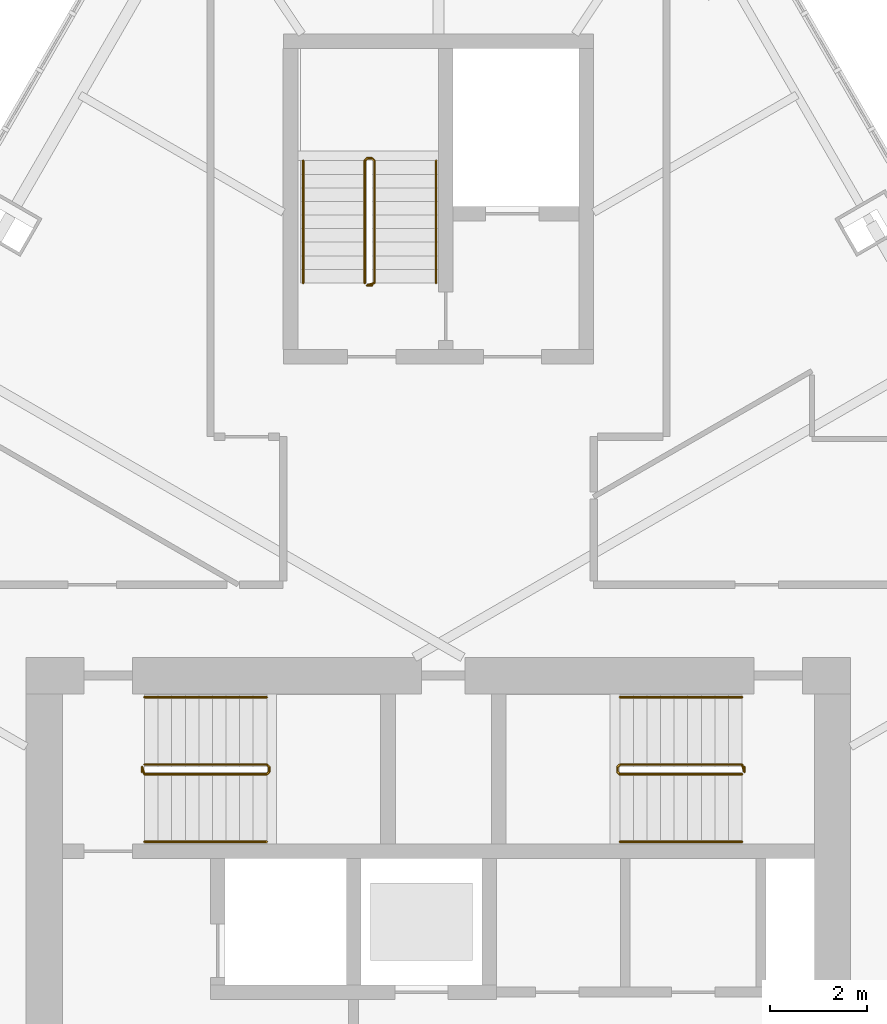
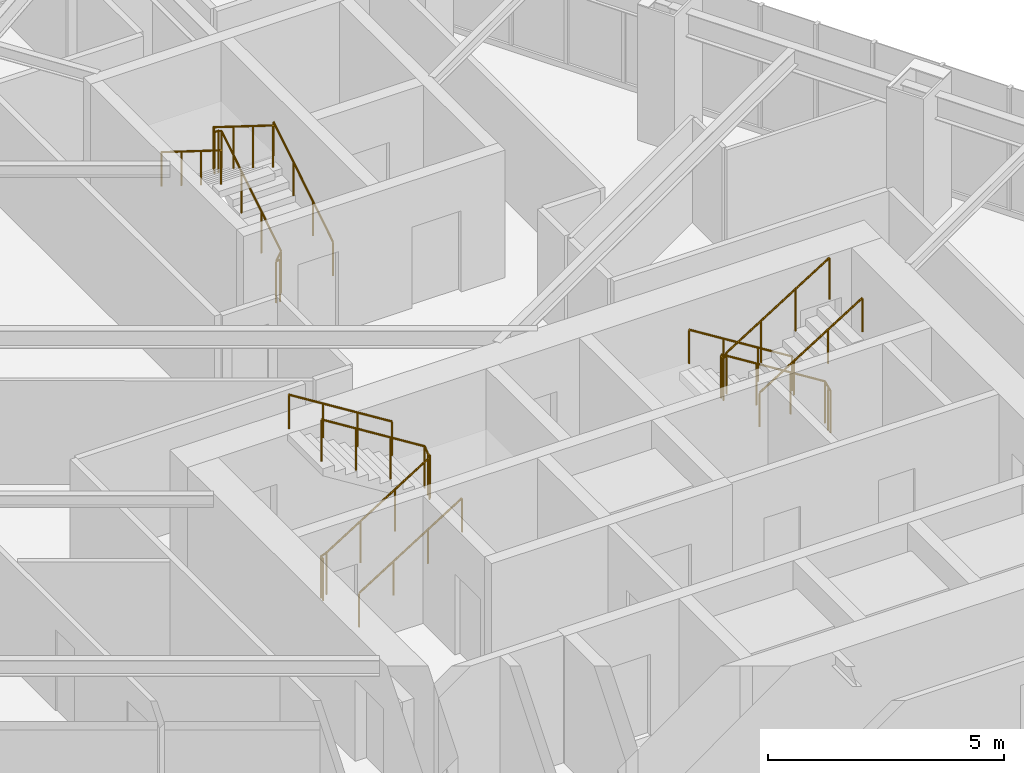
# One storey, part 19 of 20: 9 railings.
"""IFC4 building model written with IfcOpenShell, lengths in metres."""

from ifc_helpers import new_model, si_unit, direction, frame, origin, origin_2d, place, context, subcontext, project, spatial, circle, extrude, material, type_object, element, save


model = new_model("IFC4")

# Units and contexts
model_context = context("Model", 3, precision=1e-05, world=origin(), true_north=direction((0.0, 1.0)))
body_context = subcontext(model_context, "Body", "Model", "MODEL_VIEW")
ifc_project = project(units=[si_unit("LENGTHUNIT", "METRE"), si_unit("AREAUNIT", "SQUARE_METRE"), si_unit("VOLUMEUNIT", "CUBIC_METRE"), si_unit("PLANEANGLEUNIT", "RADIAN"), si_unit("MASSUNIT", "GRAM", prefix="KILO")], contexts=[model_context])

# Site, building, storey
site_placement = place(None, origin())
site = spatial("IfcSite", under=ifc_project, at=site_placement, CompositionType="ELEMENT")
building_placement = place(site_placement, origin())
building = spatial("IfcBuilding", under=site, at=building_placement, Name="Firuza Gate Tower and Library", CompositionType="ELEMENT")
storey_placement = place(building_placement, frame((0.0, 0.0, 305.60009765625)))
storey = spatial("IfcBuildingStorey", under=building, at=storey_placement, Name="L74", CompositionType="ELEMENT", Elevation=305.60009765625)

# Railings
ifc_material_1 = material(Name="Steel S355", Category="steel")
railing_type_1 = type_object("IfcRailingType", Name="Stair guard 1100", PredefinedType="GUARDRAIL", material=ifc_material_1)
railing_1_placement = place(storey_placement, frame((68.889892578125, 79.389892578125, 0.0)))
element("IfcRailing", 1, at=railing_1_placement, inside=storey, type_object=railing_type_1, Name="L74 ST1 stair guard 1", PredefinedType="GUARDRAIL", context=body_context, shape_type="SweptSolid", body=[
    extrude(circle(Radius=0.02392578125, at=origin_2d()), frame((0.0, 0.0, 1.076171875), z_axis=(0.0, 1.0, 0.0), x_axis=(-1.0, 0.0, 0.0)), (0.0, 0.0, 1.0), 0.10009765625),
    extrude(circle(Radius=0.02392578125, at=origin_2d()), frame((0.0, 0.10009765625, 1.076171875), z_axis=(0.212383695785, -0.636115069328, 0.741788908207), x_axis=(0.948528701346, 0.316691178788, 0.0)), (0.0, 0.0, 1.0), 0.235595703125),
    extrude(circle(Radius=0.02392578125, at=origin_2d()), frame((0.050048828125, -0.0498046875, 1.2509765625), z_axis=(0.847970611238, 0.0, 0.530043245855), x_axis=(0.0, 1.0, 0.0)), (0.0, 0.0, 1.0), 2.971923828125),
    extrude(circle(Radius=0.02392578125, at=origin_2d()), frame((2.570068359375, -0.0498046875, 2.826171875), z_axis=(0.708833529934, 0.705375805398, 0.0), x_axis=(-0.705375805398, 0.708833529934, 0.0)), (0.0, 0.0, 1.0), 0.070556640625),
    extrude(circle(Radius=0.02392578125, at=origin_2d()), frame((2.6201171875, 0.0, 2.826171875), z_axis=(0.0, 1.0, 0.0), x_axis=(-1.0, 0.0, 0.0)), (0.0, 0.0, 1.0), 0.10009765625),
    extrude(circle(Radius=0.02392578125, at=origin_2d()), frame((2.6201171875, 0.10009765625, 2.826171875), z_axis=(-0.265383341853, 0.265383341853, 0.926899867156), x_axis=(-0.707106781187, -0.707106781187, 0.0)), (0.0, 0.0, 1.0), 0.1884765625),
    extrude(circle(Radius=0.02392578125, at=origin_2d()), frame((2.570068359375, 0.150146484375, 3.0009765625), z_axis=(-0.847970611238, 0.0, 0.530043245855), x_axis=(0.0, -1.0, 0.0)), (0.0, 0.0, 1.0), 2.971923828125),
    extrude(circle(Radius=0.02099609375, at=origin_2d()), origin(), (0.0, 0.0, 1.0), 1.052001953125),
    extrude(circle(Radius=0.02099609375, at=origin_2d()), frame((0.0, 0.10009765625, 0.0)), (0.0, 0.0, 1.0), 1.052001953125),
    extrude(circle(Radius=0.02099609375, at=origin_2d()), frame((0.050048828125, -0.0498046875, 0.1748046875)), (0.0, 0.0, 1.0), 1.052001953125),
    extrude(circle(Radius=0.02099609375, at=origin_2d()), frame((0.89013671875, -0.0498046875, 0.699951171875)), (0.0, 0.0, 1.0), 1.052001953125),
    extrude(circle(Radius=0.02099609375, at=origin_2d()), frame((1.72998046875, -0.0498046875, 1.224853515625)), (0.0, 0.0, 1.0), 1.052001953125),
    extrude(circle(Radius=0.02099609375, at=origin_2d()), frame((2.570068359375, -0.0498046875, 1.75)), (0.0, 0.0, 1.0), 1.052001953125),
    extrude(circle(Radius=0.02099609375, at=origin_2d()), frame((2.6201171875, 0.0, 1.75)), (0.0, 0.0, 1.0), 1.052001953125),
    extrude(circle(Radius=0.02099609375, at=origin_2d()), frame((2.6201171875, 0.10009765625, 1.75)), (0.0, 0.0, 1.0), 1.052001953125),
    extrude(circle(Radius=0.02099609375, at=origin_2d()), frame((2.570068359375, 0.150146484375, 1.9248046875)), (0.0, 0.0, 1.0), 1.052001953125),
    extrude(circle(Radius=0.02099609375, at=origin_2d()), frame((1.72998046875, 0.150146484375, 2.449951171875)), (0.0, 0.0, 1.0), 1.052001953125),
    extrude(circle(Radius=0.02099609375, at=origin_2d()), frame((0.89013671875, 0.150146484375, 2.974853515625)), (0.0, 0.0, 1.0), 1.052001953125),
    extrude(circle(Radius=0.02099609375, at=origin_2d()), frame((0.050048828125, 0.150146484375, 3.5)), (0.0, 0.0, 1.0), 1.052001953125),
])
railing_2_placement = place(storey_placement, frame((81.31005859375, 79.489990234375, 0.0)))
element("IfcRailing", 2, at=railing_2_placement, inside=storey, type_object=railing_type_1, Name="L74 ST2 stair guard 1", PredefinedType="GUARDRAIL", context=body_context, shape_type="SweptSolid", body=[
    extrude(circle(Radius=0.02392578125, at=origin_2d()), frame((0.0, 0.0, 1.076171875), z_axis=(0.0, -1.0, 0.0), x_axis=(1.0, 0.0, 0.0)), (0.0, 0.0, 1.0), 0.10009765625),
    extrude(circle(Radius=0.02392578125, at=origin_2d()), frame((0.0, -0.10009765625, 1.076171875), z_axis=(-0.21224375372, 0.63673126116, 0.741300134944), x_axis=(-0.948683298051, -0.316227766017, 0.0)), (0.0, 0.0, 1.0), 0.23583984375),
    extrude(circle(Radius=0.02392578125, at=origin_2d()), frame((-0.050048828125, 0.050048828125, 1.2509765625), z_axis=(-0.847970611238, 0.0, 0.530043245855), x_axis=(0.0, -1.0, 0.0)), (0.0, 0.0, 1.0), 2.971923828125),
    extrude(circle(Radius=0.02392578125, at=origin_2d()), frame((-2.570068359375, 0.050048828125, 2.826171875), z_axis=(-0.707106781187, -0.707106781187, 0.0), x_axis=(0.707106781187, -0.707106781187, 0.0)), (0.0, 0.0, 1.0), 0.07080078125),
    extrude(circle(Radius=0.02392578125, at=origin_2d()), frame((-2.6201171875, 0.0, 2.826171875), z_axis=(0.0, -1.0, 0.0), x_axis=(1.0, 0.0, 0.0)), (0.0, 0.0, 1.0), 0.10009765625),
    extrude(circle(Radius=0.02392578125, at=origin_2d()), frame((-2.6201171875, -0.10009765625, 2.826171875), z_axis=(0.265474339444, -0.264179342666, 0.927217692888), x_axis=(0.705375805398, 0.708833529934, 0.0)), (0.0, 0.0, 1.0), 0.1884765625),
    extrude(circle(Radius=0.02392578125, at=origin_2d()), frame((-2.570068359375, -0.14990234375, 3.0009765625), z_axis=(0.847970611238, 0.0, 0.530043245855), x_axis=(0.0, 1.0, 0.0)), (0.0, 0.0, 1.0), 2.971923828125),
    extrude(circle(Radius=0.02099609375, at=origin_2d()), origin(), (0.0, 0.0, 1.0), 1.052001953125),
    extrude(circle(Radius=0.02099609375, at=origin_2d()), frame((0.0, -0.10009765625, 0.0)), (0.0, 0.0, 1.0), 1.052001953125),
    extrude(circle(Radius=0.02099609375, at=origin_2d()), frame((-0.050048828125, 0.050048828125, 0.1748046875)), (0.0, 0.0, 1.0), 1.052001953125),
    extrude(circle(Radius=0.02099609375, at=origin_2d()), frame((-0.89013671875, 0.050048828125, 0.699951171875)), (0.0, 0.0, 1.0), 1.052001953125),
    extrude(circle(Radius=0.02099609375, at=origin_2d()), frame((-1.72998046875, 0.050048828125, 1.224853515625)), (0.0, 0.0, 1.0), 1.052001953125),
    extrude(circle(Radius=0.02099609375, at=origin_2d()), frame((-2.570068359375, 0.050048828125, 1.75)), (0.0, 0.0, 1.0), 1.052001953125),
    extrude(circle(Radius=0.02099609375, at=origin_2d()), frame((-2.6201171875, 0.0, 1.75)), (0.0, 0.0, 1.0), 1.052001953125),
    extrude(circle(Radius=0.02099609375, at=origin_2d()), frame((-2.6201171875, -0.10009765625, 1.75)), (0.0, 0.0, 1.0), 1.052001953125),
    extrude(circle(Radius=0.02099609375, at=origin_2d()), frame((-2.570068359375, -0.14990234375, 1.9248046875)), (0.0, 0.0, 1.0), 1.052001953125),
    extrude(circle(Radius=0.02099609375, at=origin_2d()), frame((-1.72998046875, -0.14990234375, 2.449951171875)), (0.0, 0.0, 1.0), 1.052001953125),
    extrude(circle(Radius=0.02099609375, at=origin_2d()), frame((-0.89013671875, -0.14990234375, 2.974853515625)), (0.0, 0.0, 1.0), 1.052001953125),
    extrude(circle(Radius=0.02099609375, at=origin_2d()), frame((-0.050048828125, -0.14990234375, 3.5)), (0.0, 0.0, 1.0), 1.052001953125),
])
railing_3_placement = place(storey_placement, frame((73.6298828125, 89.419921875, 0.0)))
element("IfcRailing", 3, at=railing_3_placement, inside=storey, type_object=railing_type_1, Name="L74 ST3 stair guard 1", PredefinedType="GUARDRAIL", context=body_context, shape_type="SweptSolid", body=[
    extrude(circle(Radius=0.02392578125, at=origin_2d()), frame((0.0, 0.0, 1.076171875), z_axis=(-1.0, 0.0, 0.0), x_axis=(0.0, -1.0, 0.0)), (0.0, 0.0, 1.0), 0.099853515625),
    extrude(circle(Radius=0.02392578125, at=origin_2d()), frame((-0.099853515625, 0.0, 1.076171875), z_axis=(0.636115069328, 0.212383695785, 0.741788908207), x_axis=(-0.316691178788, 0.948528701346, 0.0)), (0.0, 0.0, 1.0), 0.235595703125),
    extrude(circle(Radius=0.02392578125, at=origin_2d()), frame((0.050048828125, 0.050048828125, 1.2509765625), z_axis=(0.0, 0.847970611238, 0.530043245855), x_axis=(-1.0, 0.0, 0.0)), (0.0, 0.0, 1.0), 2.971923828125),
    extrude(circle(Radius=0.02392578125, at=origin_2d()), frame((0.050048828125, 2.570068359375, 2.826171875), z_axis=(-0.707106781187, 0.707106781187, 0.0), x_axis=(-0.707106781187, -0.707106781187, 0.0)), (0.0, 0.0, 1.0), 0.07080078125),
    extrude(circle(Radius=0.02392578125, at=origin_2d()), frame((0.0, 2.6201171875, 2.826171875), z_axis=(-1.0, 0.0, 0.0), x_axis=(0.0, -1.0, 0.0)), (0.0, 0.0, 1.0), 0.099853515625),
    extrude(circle(Radius=0.02392578125, at=origin_2d()), frame((-0.099853515625, 2.6201171875, 2.826171875), z_axis=(-0.265383341853, -0.265383341853, 0.926899867156), x_axis=(0.707106781187, -0.707106781187, 0.0)), (0.0, 0.0, 1.0), 0.1884765625),
    extrude(circle(Radius=0.02392578125, at=origin_2d()), frame((-0.14990234375, 2.570068359375, 3.0009765625), z_axis=(0.0, -0.847970611238, 0.530043245855), x_axis=(1.0, 0.0, 0.0)), (0.0, 0.0, 1.0), 2.971923828125),
    extrude(circle(Radius=0.02099609375, at=origin_2d()), origin(), (0.0, 0.0, 1.0), 1.052001953125),
    extrude(circle(Radius=0.02099609375, at=origin_2d()), frame((-0.099853515625, 0.0, 0.0)), (0.0, 0.0, 1.0), 1.052001953125),
    extrude(circle(Radius=0.02099609375, at=origin_2d()), frame((0.050048828125, 0.050048828125, 0.1748046875)), (0.0, 0.0, 1.0), 1.052001953125),
    extrude(circle(Radius=0.02099609375, at=origin_2d()), frame((0.050048828125, 0.89013671875, 0.699951171875)), (0.0, 0.0, 1.0), 1.052001953125),
    extrude(circle(Radius=0.02099609375, at=origin_2d()), frame((0.050048828125, 1.72998046875, 1.224853515625)), (0.0, 0.0, 1.0), 1.052001953125),
    extrude(circle(Radius=0.02099609375, at=origin_2d()), frame((0.050048828125, 2.570068359375, 1.75)), (0.0, 0.0, 1.0), 1.052001953125),
    extrude(circle(Radius=0.02099609375, at=origin_2d()), frame((0.0, 2.6201171875, 1.75)), (0.0, 0.0, 1.0), 1.052001953125),
    extrude(circle(Radius=0.02099609375, at=origin_2d()), frame((-0.099853515625, 2.6201171875, 1.75)), (0.0, 0.0, 1.0), 1.052001953125),
    extrude(circle(Radius=0.02099609375, at=origin_2d()), frame((-0.14990234375, 2.570068359375, 1.9248046875)), (0.0, 0.0, 1.0), 1.052001953125),
    extrude(circle(Radius=0.02099609375, at=origin_2d()), frame((-0.14990234375, 1.72998046875, 2.449951171875)), (0.0, 0.0, 1.0), 1.052001953125),
    extrude(circle(Radius=0.02099609375, at=origin_2d()), frame((-0.14990234375, 0.89013671875, 2.974853515625)), (0.0, 0.0, 1.0), 1.052001953125),
    extrude(circle(Radius=0.02099609375, at=origin_2d()), frame((-0.14990234375, 0.050048828125, 3.5)), (0.0, 0.0, 1.0), 1.052001953125),
])
ifc_material_2 = material(Name="Steel S355", Category="steel")
railing_type_2 = type_object("IfcRailingType", Name="Stair handrail 900", PredefinedType="HANDRAIL", material=ifc_material_2)
railing_4_placement = place(storey_placement, frame((68.93994140625, 77.949951171875, 0.1748046875)))
element("IfcRailing", 4, at=railing_4_placement, inside=storey, type_object=railing_type_2, Name="L74 ST1 stair handrail 1", PredefinedType="HANDRAIL", context=body_context, shape_type="SweptSolid", body=[
    extrude(circle(Radius=0.02392578125, at=origin_2d()), frame((0.0, 0.0, 0.8759765625), z_axis=(0.847970611238, 0.0, 0.530043245855), x_axis=(0.0, 1.0, 0.0)), (0.0, 0.0, 1.0), 2.971923828125),
    extrude(circle(Radius=0.02099609375, at=origin_2d()), origin(), (0.0, 0.0, 1.0), 0.851806640625),
    extrude(circle(Radius=0.02099609375, at=origin_2d()), frame((0.840087890625, 0.0, 0.525146484375)), (0.0, 0.0, 1.0), 0.851806640625),
    extrude(circle(Radius=0.02099609375, at=origin_2d()), frame((1.679931640625, 0.0, 1.050048828125)), (0.0, 0.0, 1.0), 0.851806640625),
    extrude(circle(Radius=0.02099609375, at=origin_2d()), frame((2.52001953125, 0.0, 1.5751953125)), (0.0, 0.0, 1.0), 0.851806640625),
])
for number, where, name in (
    (5, (71.4599609375, 80.929931640625, 1.9248046875), "L74 ST1 stair handrail 2"),
    (6, (81.260009765625, 80.929931640625, 0.1748046875), "L74 ST2 stair handrail 1"),
):
    element("IfcRailing", number, at=place(storey_placement, frame(where)), inside=storey, type_object=railing_type_2, Name=name, PredefinedType="HANDRAIL", context=body_context, shape_type="SweptSolid", body=[
        extrude(circle(Radius=0.02392578125, at=origin_2d()), frame((0.0, 0.0, 0.8759765625), z_axis=(-0.847970611238, 0.0, 0.530043245855), x_axis=(0.0, -1.0, 0.0)), (0.0, 0.0, 1.0), 2.971923828125),
        extrude(circle(Radius=0.02099609375, at=origin_2d()), origin(), (0.0, 0.0, 1.0), 0.851806640625),
        extrude(circle(Radius=0.02099609375, at=origin_2d()), frame((-0.840087890625, 0.0, 0.525146484375)), (0.0, 0.0, 1.0), 0.851806640625),
        extrude(circle(Radius=0.02099609375, at=origin_2d()), frame((-1.679931640625, 0.0, 1.050048828125)), (0.0, 0.0, 1.0), 0.851806640625),
        extrude(circle(Radius=0.02099609375, at=origin_2d()), frame((-2.52001953125, 0.0, 1.5751953125)), (0.0, 0.0, 1.0), 0.851806640625),
    ])
railing_5_placement = place(storey_placement, frame((78.739990234375, 77.949951171875, 1.9248046875)))
element("IfcRailing", 7, at=railing_5_placement, inside=storey, type_object=railing_type_2, Name="L74 ST2 stair handrail 2", PredefinedType="HANDRAIL", context=body_context, shape_type="SweptSolid", body=[
    extrude(circle(Radius=0.02392578125, at=origin_2d()), frame((0.0, 0.0, 0.8759765625), z_axis=(0.847970611238, 0.0, 0.530043245855), x_axis=(0.0, 1.0, 0.0)), (0.0, 0.0, 1.0), 2.971923828125),
    extrude(circle(Radius=0.02099609375, at=origin_2d()), origin(), (0.0, 0.0, 1.0), 0.851806640625),
    extrude(circle(Radius=0.02099609375, at=origin_2d()), frame((0.840087890625, 0.0, 0.525146484375)), (0.0, 0.0, 1.0), 0.851806640625),
    extrude(circle(Radius=0.02099609375, at=origin_2d()), frame((1.679931640625, 0.0, 1.050048828125)), (0.0, 0.0, 1.0), 0.851806640625),
    extrude(circle(Radius=0.02099609375, at=origin_2d()), frame((2.52001953125, 0.0, 1.5751953125)), (0.0, 0.0, 1.0), 0.851806640625),
])
railing_6_placement = place(storey_placement, frame((74.949951171875, 89.469970703125, 0.1748046875)))
element("IfcRailing", 8, at=railing_6_placement, inside=storey, type_object=railing_type_2, Name="L74 ST3 stair handrail 1", PredefinedType="HANDRAIL", context=body_context, shape_type="SweptSolid", body=[
    extrude(circle(Radius=0.02392578125, at=origin_2d()), frame((0.0, 0.0, 0.8759765625), z_axis=(0.0, 0.847970611238, 0.530043245855), x_axis=(-1.0, 0.0, 0.0)), (0.0, 0.0, 1.0), 2.971923828125),
    extrude(circle(Radius=0.02099609375, at=origin_2d()), origin(), (0.0, 0.0, 1.0), 0.851806640625),
    extrude(circle(Radius=0.02099609375, at=origin_2d()), frame((0.0, 0.840087890625, 0.525146484375)), (0.0, 0.0, 1.0), 0.851806640625),
    extrude(circle(Radius=0.02099609375, at=origin_2d()), frame((0.0, 1.679931640625, 1.050048828125)), (0.0, 0.0, 1.0), 0.851806640625),
    extrude(circle(Radius=0.02099609375, at=origin_2d()), frame((0.0, 2.52001953125, 1.5751953125)), (0.0, 0.0, 1.0), 0.851806640625),
])
railing_7_placement = place(storey_placement, frame((72.2099609375, 91.989990234375, 1.9248046875)))
element("IfcRailing", 9, at=railing_7_placement, inside=storey, type_object=railing_type_2, Name="L74 ST3 stair handrail 2", PredefinedType="HANDRAIL", context=body_context, shape_type="SweptSolid", body=[
    extrude(circle(Radius=0.02392578125, at=origin_2d()), frame((0.0, 0.0, 0.8759765625), z_axis=(0.0, -0.847970611238, 0.530043245855), x_axis=(1.0, 0.0, 0.0)), (0.0, 0.0, 1.0), 2.971923828125),
    extrude(circle(Radius=0.02099609375, at=origin_2d()), origin(), (0.0, 0.0, 1.0), 0.851806640625),
    extrude(circle(Radius=0.02099609375, at=origin_2d()), frame((0.0, -0.840087890625, 0.525146484375)), (0.0, 0.0, 1.0), 0.851806640625),
    extrude(circle(Radius=0.02099609375, at=origin_2d()), frame((0.0, -1.679931640625, 1.050048828125)), (0.0, 0.0, 1.0), 0.851806640625),
    extrude(circle(Radius=0.02099609375, at=origin_2d()), frame((0.0, -2.52001953125, 1.5751953125)), (0.0, 0.0, 1.0), 0.851806640625),
])

save(model, "model.ifc")
